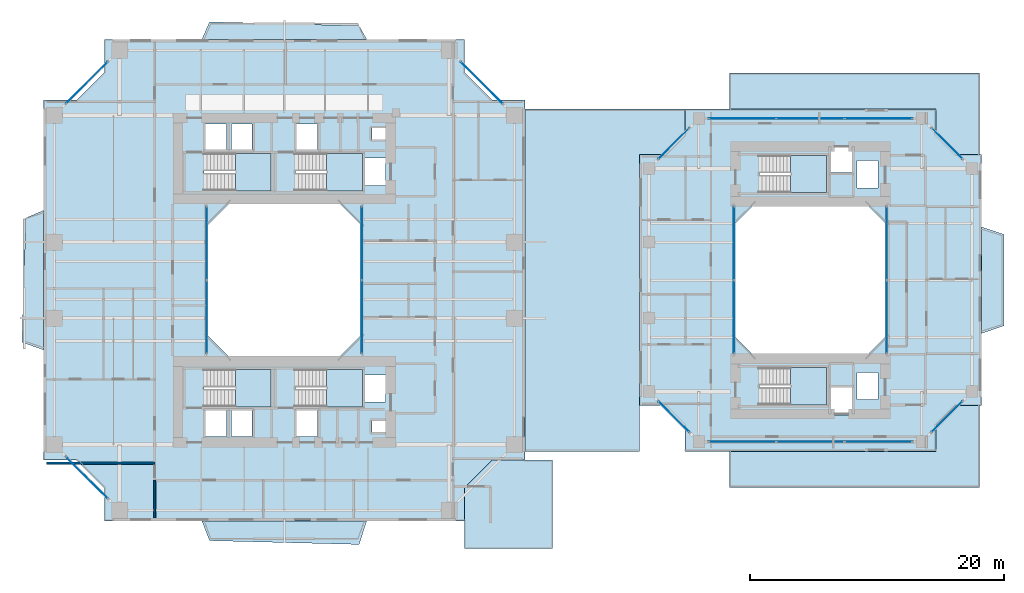
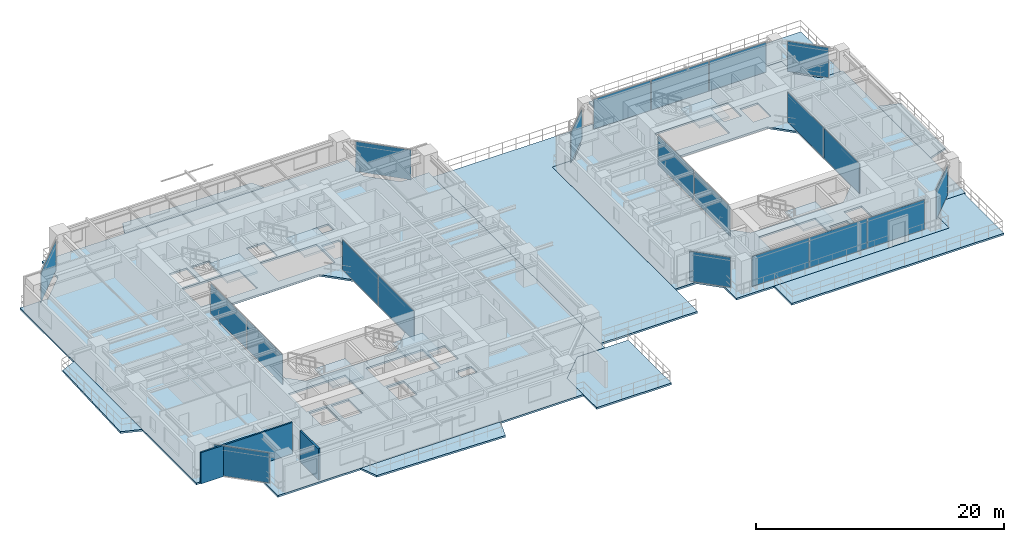
# One storey, part 9 of 22: 21 plates, 16 slabs, 2 walls, 19 elements without a shape of their own.
"""IFC4 building model written with IfcOpenShell, lengths in metres."""

from ifc_helpers import new_model, si_unit, direction, frame, frame_2d, origin, origin_2d, place, context, subcontext, project, spatial, polyline, rectangle, outline, extrude, source, transform, mapped, material, layer, layer_set, type_object, element, aggregate, save


model = new_model("IFC4")

# Units and contexts
model_context = context("Model", 3, precision=1e-05, world=origin(), true_north=direction((0.0, 1.0)))
body_context = subcontext(model_context, "Body", "Model", "MODEL_VIEW")
ifc_project = project(units=[si_unit("LENGTHUNIT", "METRE"), si_unit("AREAUNIT", "SQUARE_METRE"), si_unit("VOLUMEUNIT", "CUBIC_METRE"), si_unit("PLANEANGLEUNIT", "RADIAN"), si_unit("MASSUNIT", "GRAM", prefix="KILO"), si_unit("THERMODYNAMICTEMPERATUREUNIT", "KELVIN"), si_unit("POWERUNIT", "WATT")], contexts=[model_context])

# Site, building, storey
site_placement = place(None, origin())
site = spatial("IfcSite", under=ifc_project, at=site_placement, CompositionType="ELEMENT")
building_placement = place(site_placement, origin())
building = spatial("IfcBuilding", under=site, at=building_placement, Name="Qiaomeng Ring Towers", CompositionType="ELEMENT")
storey_placement = place(building_placement, frame((0.0, 0.0, 23.0)))
storey = spatial("IfcBuildingStorey", under=building, at=storey_placement, Name="L05", CompositionType="ELEMENT", Elevation=23.0)

# Slabs
ifc_material_1 = material(Name="Concrete C40", Category="concrete")
ifc_layer_1 = layer(ifc_material_1, 0.179931640625, Name="Concrete C40")
ifc_layer_set_1 = layer_set([ifc_layer_1], Name="Concrete C40")
slab_type_1 = type_object("IfcSlabType", Name="STR-SL-180", PredefinedType="FLOOR", material=ifc_layer_set_1)
slab_1_placement = place(storey_placement, frame((0.0, 0.0, -0.179931640625)))
element("IfcSlab", 1, at=slab_1_placement, inside=storey, type_object=slab_type_1, Name="L05 Tower 1 Annular Floor Slab", PredefinedType="FLOOR", context=body_context, shape_type="SweptSolid", body=[
    extrude(outline(polyline([(4.800048828125, 4.0), (33.199951171875, 4.0), (33.199951171875, 6.60009765625), (35.39990234375, 8.800048828125), (38.0, 8.800048828125), (38.0, 37.199951171875), (35.39990234375, 37.199951171875), (33.199951171875, 39.39990234375), (33.199951171875, 42.0), (4.800048828125, 42.0), (4.800048828125, 39.39990234375), (2.60009765625, 37.199951171875), (0.0, 37.199951171875), (0.0, 8.800048828125), (2.60009765625, 8.800048828125), (4.800048828125, 6.60009765625), (4.800048828125, 4.0)]), holes=[polyline([(12.780029296875, 10.679931640625), (12.780029296875, 12.820068359375), (14.419921875, 12.820068359375), (14.419921875, 10.679931640625), (12.780029296875, 10.679931640625)]), polyline([(14.830078125, 12.820068359375), (16.469970703125, 12.820068359375), (16.469970703125, 10.679931640625), (14.830078125, 10.679931640625), (14.830078125, 12.820068359375)]), polyline([(12.679931640625, 15.949951171875), (17.949951171875, 15.949951171875), (17.949951171875, 13.010009765625), (12.679931640625, 13.010009765625), (12.679931640625, 15.949951171875)]), polyline([(25.199951171875, 27.199951171875), (25.199951171875, 18.800048828125), (23.199951171875, 16.800048828125), (14.800048828125, 16.800048828125), (12.800048828125, 18.800048828125), (12.800048828125, 27.199951171875), (14.800048828125, 29.199951171875), (23.199951171875, 29.199951171875), (25.199951171875, 27.199951171875)]), polyline([(12.679931640625, 32.989990234375), (17.949951171875, 32.989990234375), (17.949951171875, 30.050048828125), (12.679931640625, 30.050048828125), (12.679931640625, 32.989990234375)]), polyline([(12.780029296875, 35.320068359375), (14.419921875, 35.320068359375), (14.419921875, 33.179931640625), (12.780029296875, 33.179931640625), (12.780029296875, 35.320068359375)]), polyline([(14.830078125, 35.320068359375), (16.469970703125, 35.320068359375), (16.469970703125, 33.179931640625), (14.830078125, 33.179931640625), (14.830078125, 35.320068359375)]), polyline([(19.97998046875, 35.320068359375), (21.6201171875, 35.320068359375), (21.6201171875, 33.179931640625), (19.97998046875, 33.179931640625), (19.97998046875, 35.320068359375)]), polyline([(25.919921875, 11.89990234375), (27.360107421875, 11.89990234375), (27.360107421875, 11.0), (25.919921875, 11.0), (25.919921875, 11.89990234375)]), polyline([(19.97998046875, 12.820068359375), (21.6201171875, 12.820068359375), (21.6201171875, 10.679931640625), (19.97998046875, 10.679931640625), (19.97998046875, 12.820068359375)]), polyline([(25.360107421875, 15.52001953125), (27.0, 15.52001953125), (27.0, 13.3798828125), (25.360107421875, 13.3798828125), (25.360107421875, 15.52001953125)]), polyline([(19.8798828125, 15.949951171875), (25.14990234375, 15.949951171875), (25.14990234375, 13.010009765625), (19.8798828125, 13.010009765625), (19.8798828125, 15.949951171875)]), polyline([(19.8798828125, 32.989990234375), (25.14990234375, 32.989990234375), (25.14990234375, 30.050048828125), (19.8798828125, 30.050048828125), (19.8798828125, 32.989990234375)]), polyline([(25.360107421875, 32.6201171875), (27.0, 32.6201171875), (27.0, 30.47998046875), (25.360107421875, 30.47998046875), (25.360107421875, 32.6201171875)]), polyline([(25.919921875, 35.0), (27.360107421875, 35.0), (27.360107421875, 34.10009765625), (25.919921875, 34.10009765625), (25.919921875, 35.0)])]), origin(), (0.0, 0.0, 1.0), 0.179931640625),
])
slab_2_placement = place(storey_placement, frame((0.0, 0.0, -0.179931640625)))
element("IfcSlab", 2, at=slab_2_placement, inside=storey, type_object=slab_type_1, Name="L05 Companion Tower 2 Annular Floor Slab", PredefinedType="FLOOR", context=body_context, shape_type="SweptSolid", body=[
    extrude(outline(polyline([(50.60009765625, 9.5), (70.39990234375, 9.5), (70.39990234375, 11.5), (72.0, 13.10009765625), (74.0, 13.10009765625), (74.0, 32.89990234375), (72.0, 32.89990234375), (70.39990234375, 34.5), (70.39990234375, 36.5), (50.60009765625, 36.5), (50.60009765625, 34.5), (49.0, 32.89990234375), (47.0, 32.89990234375), (47.0, 13.10009765625), (49.0, 13.10009765625), (50.60009765625, 11.5), (50.60009765625, 9.5)]), holes=[polyline([(62.1298828125, 12.3798828125), (62.1298828125, 14.52001953125), (63.77001953125, 14.52001953125), (63.77001953125, 12.3798828125), (62.1298828125, 12.3798828125)]), polyline([(56.47998046875, 13.159912109375), (56.47998046875, 16.10009765625), (61.75, 16.10009765625), (61.75, 13.159912109375), (56.47998046875, 13.159912109375)]), polyline([(64.179931640625, 13.580078125), (64.179931640625, 15.719970703125), (65.820068359375, 15.719970703125), (65.820068359375, 13.580078125), (64.179931640625, 13.580078125)]), polyline([(64.800048828125, 29.10009765625), (66.60009765625, 27.300048828125), (66.60009765625, 18.699951171875), (64.800048828125, 16.89990234375), (56.199951171875, 16.89990234375), (54.39990234375, 18.699951171875), (54.39990234375, 27.300048828125), (56.199951171875, 29.10009765625), (64.800048828125, 29.10009765625)]), polyline([(64.179931640625, 30.280029296875), (64.179931640625, 32.419921875), (65.820068359375, 32.419921875), (65.820068359375, 30.280029296875), (64.179931640625, 30.280029296875)]), polyline([(56.47998046875, 32.840087890625), (61.75, 32.840087890625), (61.75, 29.89990234375), (56.47998046875, 29.89990234375), (56.47998046875, 32.840087890625)]), polyline([(62.1298828125, 33.6201171875), (63.77001953125, 33.6201171875), (63.77001953125, 31.47998046875), (62.1298828125, 31.47998046875), (62.1298828125, 33.6201171875)])]), origin(), (0.0, 0.0, 1.0), 0.179931640625),
])
ifc_layer_2 = layer(ifc_material_1, 0.179931640625, Name="Concrete C40")
ifc_layer_set_2 = layer_set([ifc_layer_2], Name="Concrete C40")
slab_type_2 = type_object("IfcSlabType", Name="STR-SL-BAL", PredefinedType="FLOOR", material=ifc_layer_set_2)
slab_3_placement = place(storey_placement, frame((0.0, 0.0, -0.179931640625)))
element("IfcSlab", 3, at=slab_3_placement, inside=storey, type_object=slab_type_2, Name="L05 Tower 1 S Faceted Balcony Slab", PredefinedType="FLOOR", context=body_context, shape_type="SweptSolid", body=[
    extrude(outline(polyline([(24.89990234375, 2.14990234375), (13.10009765625, 2.449951171875), (12.5, 4.0), (25.5, 4.0), (24.89990234375, 2.14990234375)])), origin(), (0.0, 0.0, 1.0), 0.179931640625),
])
slab_4_placement = place(storey_placement, frame((0.0, 0.0, -0.179931640625)))
element("IfcSlab", 4, at=slab_4_placement, inside=storey, type_object=slab_type_2, Name="L05 Tower 1 N Faceted Balcony Slab", PredefinedType="FLOOR", context=body_context, shape_type="SweptSolid", body=[
    extrude(outline(polyline([(12.5, 42.0), (13.10009765625, 43.3701171875), (24.89990234375, 43.070068359375), (25.5, 42.0), (12.5, 42.0)])), origin(), (0.0, 0.0, 1.0), 0.179931640625),
])
slab_5_placement = place(storey_placement, frame((0.0, 0.0, -0.179931640625)))
element("IfcSlab", 5, at=slab_5_placement, inside=storey, type_object=slab_type_2, Name="L05 Tower 1 W Faceted Balcony Slab", PredefinedType="FLOOR", context=body_context, shape_type="SweptSolid", body=[
    extrude(outline(polyline([(0.0, 17.5), (-1.699951171875, 18.10009765625), (-1.39990234375, 27.89990234375), (0.0, 28.5), (0.0, 17.5)])), origin(), (0.0, 0.0, 1.0), 0.179931640625),
])
slab_6_placement = place(storey_placement, frame((0.0, 0.0, -0.179931640625)))
element("IfcSlab", 6, at=slab_6_placement, inside=storey, type_object=slab_type_2, Name="L05 Companion East Faceted Balcony Slab", PredefinedType="FLOOR", context=body_context, shape_type="SweptSolid", body=[
    extrude(outline(polyline([(75.77001953125, 26.60009765625), (75.77001953125, 19.39990234375), (74.0, 18.800048828125), (74.0, 27.199951171875), (75.77001953125, 26.60009765625)])), origin(), (0.0, 0.0, 1.0), 0.179931640625),
])

# Stair, slab
ifc_material_2 = material(Name="Precast concrete C40", Category="concrete")
stair_type = type_object("IfcStairType", Name="ARC-ST-325", PredefinedType="HALF_TURN_STAIR", material=ifc_material_2)
stair_1_placement = place(storey_placement, origin())
stair_1 = element("IfcStair", 7, at=stair_1_placement, inside=storey, type_object=stair_type, Name="L05 Tower 1 North Stair 1", PredefinedType="HALF_TURN_STAIR")
ifc_layer_3 = layer(ifc_material_1, 0.199951171875, Name="Concrete C40")
ifc_layer_set_3 = layer_set([ifc_layer_3], Name="Concrete C40")
slab_type_3 = type_object("IfcSlabType", Name="STR-SL-LANDING", PredefinedType="LANDING", material=ifc_layer_set_3)
slab_7_placement = place(storey_placement, frame((0.0, 0.0, 1.425048828125)))
slab_7 = element("IfcSlab", 8, at=slab_7_placement, type_object=slab_type_3, Name="ST1 landing 1", PredefinedType="LANDING", context=body_context, shape_type="SweptSolid", body=[
    extrude(outline(polyline([(15.139892578125, 30.050048828125), (17.949951171875, 30.050048828125), (17.949951171875, 32.989990234375), (15.139892578125, 32.989990234375), (15.139892578125, 30.050048828125)])), origin(), (0.0, 0.0, 1.0), 0.199951171875),
])
aggregate(stair_1, [slab_7])

stair_2_placement = place(storey_placement, origin())
stair_2 = element("IfcStair", 9, at=stair_2_placement, inside=storey, type_object=stair_type, Name="L05 Tower 1 North Stair 2", PredefinedType="HALF_TURN_STAIR")
slab_8_placement = place(storey_placement, frame((0.0, 0.0, 1.425048828125)))
slab_8 = element("IfcSlab", 10, at=slab_8_placement, type_object=slab_type_3, Name="ST2 landing 1", PredefinedType="LANDING", context=body_context, shape_type="SweptSolid", body=[
    extrude(outline(polyline([(22.340087890625, 30.050048828125), (25.14990234375, 30.050048828125), (25.14990234375, 32.989990234375), (22.340087890625, 32.989990234375), (22.340087890625, 30.050048828125)])), origin(), (0.0, 0.0, 1.0), 0.199951171875),
])
aggregate(stair_2, [slab_8])

stair_3_placement = place(storey_placement, origin())
stair_3 = element("IfcStair", 11, at=stair_3_placement, inside=storey, type_object=stair_type, Name="L05 Tower 1 South Stair 3", PredefinedType="HALF_TURN_STAIR")
slab_9_placement = place(storey_placement, frame((0.0, 0.0, 1.425048828125)))
slab_9 = element("IfcSlab", 12, at=slab_9_placement, type_object=slab_type_3, Name="ST3 landing 1", PredefinedType="LANDING", context=body_context, shape_type="SweptSolid", body=[
    extrude(outline(polyline([(15.139892578125, 13.010009765625), (17.949951171875, 13.010009765625), (17.949951171875, 15.949951171875), (15.139892578125, 15.949951171875), (15.139892578125, 13.010009765625)])), origin(), (0.0, 0.0, 1.0), 0.199951171875),
])
aggregate(stair_3, [slab_9])

stair_4_placement = place(storey_placement, origin())
stair_4 = element("IfcStair", 13, at=stair_4_placement, inside=storey, type_object=stair_type, Name="L05 Tower 1 South Stair 4", PredefinedType="HALF_TURN_STAIR")
slab_10_placement = place(storey_placement, frame((0.0, 0.0, 1.425048828125)))
slab_10 = element("IfcSlab", 14, at=slab_10_placement, type_object=slab_type_3, Name="ST4 landing 1", PredefinedType="LANDING", context=body_context, shape_type="SweptSolid", body=[
    extrude(outline(polyline([(22.340087890625, 13.010009765625), (25.14990234375, 13.010009765625), (25.14990234375, 15.949951171875), (22.340087890625, 15.949951171875), (22.340087890625, 13.010009765625)])), origin(), (0.0, 0.0, 1.0), 0.199951171875),
])
aggregate(stair_4, [slab_10])

stair_5_placement = place(storey_placement, origin())
stair_5 = element("IfcStair", 15, at=stair_5_placement, inside=storey, type_object=stair_type, Name="L05 Companion North Stair 5", PredefinedType="HALF_TURN_STAIR")
slab_11_placement = place(storey_placement, frame((0.0, 0.0, 1.425048828125)))
slab_11 = element("IfcSlab", 16, at=slab_11_placement, type_object=slab_type_3, Name="ST5 landing 1", PredefinedType="LANDING", context=body_context, shape_type="SweptSolid", body=[
    extrude(outline(polyline([(58.93994140625, 29.89990234375), (61.75, 29.89990234375), (61.75, 32.840087890625), (58.93994140625, 32.840087890625), (58.93994140625, 29.89990234375)])), origin(), (0.0, 0.0, 1.0), 0.199951171875),
])
aggregate(stair_5, [slab_11])

stair_6_placement = place(storey_placement, origin())
stair_6 = element("IfcStair", 17, at=stair_6_placement, inside=storey, type_object=stair_type, Name="L05 Companion South Stair 6", PredefinedType="HALF_TURN_STAIR")
slab_12_placement = place(storey_placement, frame((0.0, 0.0, 1.425048828125)))
slab_12 = element("IfcSlab", 18, at=slab_12_placement, type_object=slab_type_3, Name="ST6 landing 1", PredefinedType="LANDING", context=body_context, shape_type="SweptSolid", body=[
    extrude(outline(polyline([(58.93994140625, 13.159912109375), (61.75, 13.159912109375), (61.75, 16.10009765625), (58.93994140625, 16.10009765625), (58.93994140625, 13.159912109375)])), origin(), (0.0, 0.0, 1.0), 0.199951171875),
])
aggregate(stair_6, [slab_12])

# Slabs
ifc_layer_4 = layer(ifc_material_1, 0.179931640625, Name="Concrete C40")
ifc_layer_set_4 = layer_set([ifc_layer_4], Name="Concrete C40")
slab_type_4 = type_object("IfcSlabType", Name="STR-SL-TERR180", PredefinedType="FLOOR", material=ifc_layer_set_4)
slab_13_placement = place(storey_placement, frame((0.0, 0.0, -0.179931640625)))
element("IfcSlab", 19, at=slab_13_placement, inside=storey, type_object=slab_type_4, Name="L05 Shared Podium Sky Garden Terrace Slab", PredefinedType="FLOOR", context=body_context, shape_type="SweptSolid", body=[
    extrude(outline(polyline([(38.0, 9.5), (47.0, 9.5), (47.0, 32.89990234375), (49.0, 32.89990234375), (50.60009765625, 34.5), (50.60009765625, 36.5), (38.0, 36.5), (38.0, 9.5)])), origin(), (0.0, 0.0, 1.0), 0.179931640625),
])
slab_14_placement = place(storey_placement, frame((0.0, 0.0, -0.179931640625)))
element("IfcSlab", 20, at=slab_14_placement, inside=storey, type_object=slab_type_4, Name="L05 Spiralling Corner Sky Terrace SE", PredefinedType="FLOOR", context=body_context, shape_type="SweptSolid", body=[
    extrude(outline(polyline([(40.14990234375, 8.800048828125), (40.14990234375, 1.85009765625), (33.199951171875, 1.85009765625), (33.199951171875, 4.0), (33.199951171875, 6.60009765625), (35.39990234375, 8.800048828125), (38.0, 8.800048828125), (40.14990234375, 8.800048828125)])), origin(), (0.0, 0.0, 1.0), 0.179931640625),
])
slab_15_placement = place(storey_placement, frame((0.0, 0.0, -0.179931640625)))
element("IfcSlab", 21, at=slab_15_placement, inside=storey, type_object=slab_type_4, Name="L05 Companion Podium South Roof Terrace Slab", PredefinedType="FLOOR", context=body_context, shape_type="SweptSolid", body=[
    extrude(outline(polyline([(73.840087890625, 6.659912109375), (73.840087890625, 13.10009765625), (72.0, 13.10009765625), (70.39990234375, 11.5), (70.39990234375, 9.5), (54.110107421875, 9.5), (54.110107421875, 6.659912109375), (73.840087890625, 6.659912109375)])), origin(), (0.0, 0.0, 1.0), 0.179931640625),
])
slab_16_placement = place(storey_placement, frame((0.0, 0.0, -0.179931640625)))
element("IfcSlab", 22, at=slab_16_placement, inside=storey, type_object=slab_type_4, Name="L05 Companion Podium North Roof Terrace Slab", PredefinedType="FLOOR", context=body_context, shape_type="SweptSolid", body=[
    extrude(outline(polyline([(54.110107421875, 39.340087890625), (54.110107421875, 36.5), (70.39990234375, 36.5), (70.39990234375, 34.5), (72.0, 32.89990234375), (73.840087890625, 32.89990234375), (73.840087890625, 39.340087890625), (54.110107421875, 39.340087890625)])), origin(), (0.0, 0.0, 1.0), 0.179931640625),
])

# Curtain wall, plates
ifc_material_3 = material(Name="Fluorocarbon dark-grey aluminium", Category="aluminium")
ifc_layer_5 = layer(ifc_material_3, 0.139892578125, Name="Fluorocarbon dark-grey aluminium")
ifc_layer_set_5 = layer_set([ifc_layer_5], Name="Fluorocarbon dark-grey aluminium")
curtain_wall_type_1 = type_object("IfcCurtainWallType", Name="ARC-CW-4", PredefinedType="NOTDEFINED", material=ifc_layer_set_5)
curtain_wall_1_placement = place(storey_placement, origin())
curtain_wall_1 = element("IfcCurtainWall", 23, at=curtain_wall_1_placement, inside=storey, type_object=curtain_wall_type_1, Name="L05 Curtain Wall CW4", PredefinedType="NOTDEFINED")
ifc_material_4 = material(Name="Low-E dark-grey laminated double glazing", Category="glass")
ifc_layer_6 = layer(ifc_material_4, 0.028076171875, Name="Low-E dark-grey laminated double glazing")
ifc_layer_set_6 = layer_set([ifc_layer_6], Name="Low-E dark-grey laminated double glazing")
plate_type = type_object("IfcPlateType", Name="ARC-CWP-DARK", PredefinedType="CURTAIN_PANEL", material=ifc_layer_set_6)
shared_shape_1 = source(origin(), body_context, "Body", "SweptSolid", [
    extrude(rectangle(XDim=5.75244140625, YDim=0.028076171875, at=origin_2d()), origin(), (0.0, 0.0, 1.0), 2.93994140625),
])
plate_1_placement = place(storey_placement, frame((12.8798828125, 20.09130859375, 0.06494140625), z_axis=(0.0, 0.0, 1.0), x_axis=(0.0, 1.0, 0.0)))
plate_1 = element("IfcPlate", 24, at=plate_1_placement, type_object=plate_type, Name="CW4 panel 1.1", PredefinedType="CURTAIN_PANEL", context=body_context, shape_type="MappedRepresentation", body=[
    mapped(shared_shape_1, transform((0.0, 0.0, 0.0), x_axis=(1.0, 0.0, 0.0), y_axis=(0.0, 1.0, 0.0), z_axis=(0.0, 0.0, 1.0), scale=1.0)),
])
plate_2_placement = place(storey_placement, frame((12.8798828125, 25.90869140625, 0.06494140625), z_axis=(0.0, 0.0, 1.0), x_axis=(0.0, 1.0, 0.0)))
plate_2 = element("IfcPlate", 25, at=plate_2_placement, type_object=plate_type, Name="CW4 panel 2.1", PredefinedType="CURTAIN_PANEL", context=body_context, shape_type="MappedRepresentation", body=[
    mapped(shared_shape_1, transform((0.0, 0.0, 0.0), x_axis=(1.0, 0.0, 0.0), y_axis=(0.0, 1.0, 0.0), z_axis=(0.0, 0.0, 1.0), scale=1.0)),
])
aggregate(curtain_wall_1, [plate_1, plate_2])

curtain_wall_2_placement = place(storey_placement, origin())
curtain_wall_2 = element("IfcCurtainWall", 26, at=curtain_wall_2_placement, inside=storey, type_object=curtain_wall_type_1, Name="L05 Curtain Wall CW4", PredefinedType="NOTDEFINED")
plate_3_placement = place(storey_placement, frame((25.1201171875, 20.09130859375, 0.06494140625), z_axis=(0.0, 0.0, 1.0), x_axis=(0.0, 1.0, 0.0)))
plate_3 = element("IfcPlate", 27, at=plate_3_placement, type_object=plate_type, Name="CW4 panel 1.1", PredefinedType="CURTAIN_PANEL", context=body_context, shape_type="MappedRepresentation", body=[
    mapped(shared_shape_1, transform((0.0, 0.0, 0.0), x_axis=(1.0, 0.0, 0.0), y_axis=(0.0, 1.0, 0.0), z_axis=(0.0, 0.0, 1.0), scale=1.0)),
])
plate_4_placement = place(storey_placement, frame((25.1201171875, 25.90869140625, 0.06494140625), z_axis=(0.0, 0.0, 1.0), x_axis=(0.0, 1.0, 0.0)))
plate_4 = element("IfcPlate", 28, at=plate_4_placement, type_object=plate_type, Name="CW4 panel 2.1", PredefinedType="CURTAIN_PANEL", context=body_context, shape_type="MappedRepresentation", body=[
    mapped(shared_shape_1, transform((0.0, 0.0, 0.0), x_axis=(1.0, 0.0, 0.0), y_axis=(0.0, 1.0, 0.0), z_axis=(0.0, 0.0, 1.0), scale=1.0)),
])
aggregate(curtain_wall_2, [plate_3, plate_4])

curtain_wall_3_placement = place(storey_placement, origin())
curtain_wall_3 = element("IfcCurtainWall", 29, at=curtain_wall_3_placement, inside=storey, type_object=curtain_wall_type_1, Name="L05 Curtain Wall CW4", PredefinedType="NOTDEFINED")
plate_5_placement = place(storey_placement, frame((54.47998046875, 20.09130859375, 0.06494140625), z_axis=(0.0, 0.0, 1.0), x_axis=(0.0, 1.0, 0.0)))
plate_5 = element("IfcPlate", 30, at=plate_5_placement, type_object=plate_type, Name="CW4 panel 1.1", PredefinedType="CURTAIN_PANEL", context=body_context, shape_type="MappedRepresentation", body=[
    mapped(shared_shape_1, transform((0.0, 0.0, 0.0), x_axis=(1.0, 0.0, 0.0), y_axis=(0.0, 1.0, 0.0), z_axis=(0.0, 0.0, 1.0), scale=1.0)),
])
plate_6_placement = place(storey_placement, frame((54.47998046875, 25.90869140625, 0.06494140625), z_axis=(0.0, 0.0, 1.0), x_axis=(0.0, 1.0, 0.0)))
plate_6 = element("IfcPlate", 31, at=plate_6_placement, type_object=plate_type, Name="CW4 panel 2.1", PredefinedType="CURTAIN_PANEL", context=body_context, shape_type="MappedRepresentation", body=[
    mapped(shared_shape_1, transform((0.0, 0.0, 0.0), x_axis=(1.0, 0.0, 0.0), y_axis=(0.0, 1.0, 0.0), z_axis=(0.0, 0.0, 1.0), scale=1.0)),
])
aggregate(curtain_wall_3, [plate_5, plate_6])

curtain_wall_4_placement = place(storey_placement, origin())
curtain_wall_4 = element("IfcCurtainWall", 32, at=curtain_wall_4_placement, inside=storey, type_object=curtain_wall_type_1, Name="L05 Curtain Wall CW4", PredefinedType="NOTDEFINED")
plate_7_placement = place(storey_placement, frame((66.52001953125, 20.09130859375, 0.06494140625), z_axis=(0.0, 0.0, 1.0), x_axis=(0.0, 1.0, 0.0)))
plate_7 = element("IfcPlate", 33, at=plate_7_placement, type_object=plate_type, Name="CW4 panel 1.1", PredefinedType="CURTAIN_PANEL", context=body_context, shape_type="MappedRepresentation", body=[
    mapped(shared_shape_1, transform((0.0, 0.0, 0.0), x_axis=(1.0, 0.0, 0.0), y_axis=(0.0, 1.0, 0.0), z_axis=(0.0, 0.0, 1.0), scale=1.0)),
])
plate_8_placement = place(storey_placement, frame((66.52001953125, 25.90869140625, 0.06494140625), z_axis=(0.0, 0.0, 1.0), x_axis=(0.0, 1.0, 0.0)))
plate_8 = element("IfcPlate", 34, at=plate_8_placement, type_object=plate_type, Name="CW4 panel 2.1", PredefinedType="CURTAIN_PANEL", context=body_context, shape_type="MappedRepresentation", body=[
    mapped(shared_shape_1, transform((0.0, 0.0, 0.0), x_axis=(1.0, 0.0, 0.0), y_axis=(0.0, 1.0, 0.0), z_axis=(0.0, 0.0, 1.0), scale=1.0)),
])
aggregate(curtain_wall_4, [plate_7, plate_8])

# Curtain wall, plate
ifc_layer_7 = layer(ifc_material_3, 0.159912109375, Name="Fluorocarbon dark-grey aluminium")
ifc_layer_set_7 = layer_set([ifc_layer_7], Name="Fluorocarbon dark-grey aluminium")
curtain_wall_type_2 = type_object("IfcCurtainWallType", Name="ARC-CW-2", PredefinedType="NOTDEFINED", material=ifc_layer_set_7)
curtain_wall_5_placement = place(storey_placement, origin())
curtain_wall_5 = element("IfcCurtainWall", 35, at=curtain_wall_5_placement, inside=storey, type_object=curtain_wall_type_2, Name="L05 Curtain Wall CW2", PredefinedType="NOTDEFINED")
shared_shape_2 = source(origin(), body_context, "Body", "SweptSolid", [
    extrude(rectangle(XDim=4.6259765625, YDim=0.028076171875, at=origin_2d()), origin(), (0.0, 0.0, 1.0), 2.93994140625),
])
plate_9_placement = place(storey_placement, frame((34.574951171875, 38.574951171875, 0.06494140625), z_axis=(0.0, 0.0, 1.0), x_axis=(-0.707106781187, 0.707106781187, 0.0)))
plate_9 = element("IfcPlate", 36, at=plate_9_placement, type_object=plate_type, Name="CW2 panel 1.1", PredefinedType="CURTAIN_PANEL", context=body_context, shape_type="MappedRepresentation", body=[
    mapped(shared_shape_2, transform((0.0, 0.0, 0.0), x_axis=(1.0, 0.0, 0.0), y_axis=(0.0, 1.0, 0.0), z_axis=(0.0, 0.0, 1.0), scale=1.0)),
])
aggregate(curtain_wall_5, [plate_9])

curtain_wall_6_placement = place(storey_placement, origin())
curtain_wall_6 = element("IfcCurtainWall", 37, at=curtain_wall_6_placement, inside=storey, type_object=curtain_wall_type_2, Name="L05 Curtain Wall CW2", PredefinedType="NOTDEFINED")
plate_10_placement = place(storey_placement, frame((3.425048828125, 38.574951171875, 0.06494140625), z_axis=(0.0, 0.0, 1.0), x_axis=(-0.707106781187, -0.707106781187, 0.0)))
plate_10 = element("IfcPlate", 38, at=plate_10_placement, type_object=plate_type, Name="CW2 panel 1.1", PredefinedType="CURTAIN_PANEL", context=body_context, shape_type="MappedRepresentation", body=[
    mapped(shared_shape_2, transform((0.0, 0.0, 0.0), x_axis=(1.0, 0.0, 0.0), y_axis=(0.0, 1.0, 0.0), z_axis=(0.0, 0.0, 1.0), scale=1.0)),
])
aggregate(curtain_wall_6, [plate_10])

curtain_wall_7_placement = place(storey_placement, origin())
curtain_wall_7 = element("IfcCurtainWall", 39, at=curtain_wall_7_placement, inside=storey, type_object=curtain_wall_type_2, Name="L05 Curtain Wall CW2", PredefinedType="NOTDEFINED")
plate_11_placement = place(storey_placement, frame((3.425048828125, 7.425048828125, 0.06494140625), z_axis=(0.0, 0.0, 1.0), x_axis=(0.707106781187, -0.707106781187, 0.0)))
plate_11 = element("IfcPlate", 40, at=plate_11_placement, type_object=plate_type, Name="CW2 panel 1.1", PredefinedType="CURTAIN_PANEL", context=body_context, shape_type="MappedRepresentation", body=[
    mapped(shared_shape_2, transform((0.0, 0.0, 0.0), x_axis=(1.0, 0.0, 0.0), y_axis=(0.0, 1.0, 0.0), z_axis=(0.0, 0.0, 1.0), scale=1.0)),
])
aggregate(curtain_wall_7, [plate_11])

# Curtain wall, plates
ifc_layer_8 = layer(ifc_material_3, 0.14990234375, Name="Fluorocarbon dark-grey aluminium")
ifc_layer_set_8 = layer_set([ifc_layer_8], Name="Fluorocarbon dark-grey aluminium")
curtain_wall_type_3 = type_object("IfcCurtainWallType", Name="ARC-CW-5", PredefinedType="NOTDEFINED", material=ifc_layer_set_8)
curtain_wall_8_placement = place(storey_placement, origin())
curtain_wall_8 = element("IfcCurtainWall", 41, at=curtain_wall_8_placement, inside=storey, type_object=curtain_wall_type_3, Name="L05 Curtain Wall CW5", PredefinedType="NOTDEFINED")
shared_shape_3 = source(origin(), body_context, "Body", "SweptSolid", [
    extrude(rectangle(XDim=5.284912109375, YDim=0.028076171875, at=origin_2d()), origin(), (0.0, 0.0, 1.0), 2.93994140625),
])
plate_12_placement = place(storey_placement, frame((55.12744140625, 35.75, 0.06494140625), z_axis=(0.0, 0.0, 1.0), x_axis=(1.0, 0.0, 0.0)))
plate_12 = element("IfcPlate", 42, at=plate_12_placement, type_object=plate_type, Name="CW5 panel 1.1", PredefinedType="CURTAIN_PANEL", context=body_context, shape_type="MappedRepresentation", body=[
    mapped(shared_shape_3, transform((0.0, 0.0, 0.0), x_axis=(1.0, 0.0, 0.0), y_axis=(0.0, 1.0, 0.0), z_axis=(0.0, 0.0, 1.0), scale=1.0)),
])
plate_13_placement = place(storey_placement, frame((65.87255859375, 35.75, 0.06494140625), z_axis=(0.0, 0.0, 1.0), x_axis=(1.0, 0.0, 0.0)))
plate_13 = element("IfcPlate", 43, at=plate_13_placement, type_object=plate_type, Name="CW5 panel 3.1", PredefinedType="CURTAIN_PANEL", context=body_context, shape_type="MappedRepresentation", body=[
    mapped(shared_shape_3, transform((0.0, 0.0, 0.0), x_axis=(1.0, 0.0, 0.0), y_axis=(0.0, 1.0, 0.0), z_axis=(0.0, 0.0, 1.0), scale=1.0)),
])

curtain_wall_9_placement = place(storey_placement, origin())
curtain_wall_9 = element("IfcCurtainWall", 44, at=curtain_wall_9_placement, inside=storey, type_object=curtain_wall_type_3, Name="L05 Curtain Wall CW5", PredefinedType="NOTDEFINED")
plate_14_placement = place(storey_placement, frame((55.12744140625, 10.25, 0.06494140625), z_axis=(0.0, 0.0, 1.0), x_axis=(1.0, 0.0, 0.0)))
plate_14 = element("IfcPlate", 45, at=plate_14_placement, type_object=plate_type, Name="CW5 panel 1.1", PredefinedType="CURTAIN_PANEL", context=body_context, shape_type="MappedRepresentation", body=[
    mapped(shared_shape_3, transform((0.0, 0.0, 0.0), x_axis=(1.0, 0.0, 0.0), y_axis=(0.0, 1.0, 0.0), z_axis=(0.0, 0.0, 1.0), scale=1.0)),
])
plate_15_placement = place(storey_placement, frame((65.87255859375, 10.25, 0.06494140625), z_axis=(0.0, 0.0, 1.0), x_axis=(1.0, 0.0, 0.0)))
plate_15 = element("IfcPlate", 46, at=plate_15_placement, type_object=plate_type, Name="CW5 panel 3.1", PredefinedType="CURTAIN_PANEL", context=body_context, shape_type="MappedRepresentation", body=[
    mapped(shared_shape_3, transform((0.0, 0.0, 0.0), x_axis=(1.0, 0.0, 0.0), y_axis=(0.0, 1.0, 0.0), z_axis=(0.0, 0.0, 1.0), scale=1.0)),
])

# Plate
shared_shape_4 = source(origin(), body_context, "Body", "SweptSolid", [
    extrude(rectangle(XDim=5.320068359375, YDim=0.028076171875, at=origin_2d()), origin(), (0.0, 0.0, 1.0), 2.93994140625),
])
plate_16_placement = place(storey_placement, frame((60.5, 35.75, 0.06494140625), z_axis=(0.0, 0.0, 1.0), x_axis=(1.0, 0.0, 0.0)))
plate_16 = element("IfcPlate", 47, at=plate_16_placement, type_object=plate_type, Name="CW5 panel 2.1", PredefinedType="CURTAIN_PANEL", context=body_context, shape_type="MappedRepresentation", body=[
    mapped(shared_shape_4, transform((0.0, 0.0, 0.0), x_axis=(1.0, 0.0, 0.0), y_axis=(0.0, 1.0, 0.0), z_axis=(0.0, 0.0, 1.0), scale=1.0)),
])

aggregate(curtain_wall_8, [plate_12, plate_16, plate_13])

plate_17_placement = place(storey_placement, frame((60.5, 10.25, 0.06494140625), z_axis=(0.0, 0.0, 1.0), x_axis=(1.0, 0.0, 0.0)))
plate_17 = element("IfcPlate", 48, at=plate_17_placement, type_object=plate_type, Name="CW5 panel 2.1", PredefinedType="CURTAIN_PANEL", context=body_context, shape_type="MappedRepresentation", body=[
    mapped(shared_shape_4, transform((0.0, 0.0, 0.0), x_axis=(1.0, 0.0, 0.0), y_axis=(0.0, 1.0, 0.0), z_axis=(0.0, 0.0, 1.0), scale=1.0)),
])

aggregate(curtain_wall_9, [plate_14, plate_17, plate_15])

# Curtain wall, plate
curtain_wall_10_placement = place(storey_placement, origin())
curtain_wall_10 = element("IfcCurtainWall", 49, at=curtain_wall_10_placement, inside=storey, type_object=curtain_wall_type_3, Name="L05 Curtain Wall CW5", PredefinedType="NOTDEFINED")
shared_shape_5 = source(origin(), body_context, "Body", "SweptSolid", [
    extrude(rectangle(XDim=3.423828125, YDim=0.028076171875, at=origin_2d()), origin(), (0.0, 0.0, 1.0), 2.93994140625),
])
plate_18_placement = place(storey_placement, frame((71.27490234375, 12.22509765625, 0.06494140625), z_axis=(0.0, 0.0, 1.0), x_axis=(0.707106781187, 0.707106781187, 0.0)))
plate_18 = element("IfcPlate", 50, at=plate_18_placement, type_object=plate_type, Name="CW5 panel 1.1", PredefinedType="CURTAIN_PANEL", context=body_context, shape_type="MappedRepresentation", body=[
    mapped(shared_shape_5, transform((0.0, 0.0, 0.0), x_axis=(1.0, 0.0, 0.0), y_axis=(0.0, 1.0, 0.0), z_axis=(0.0, 0.0, 1.0), scale=1.0)),
])
aggregate(curtain_wall_10, [plate_18])

curtain_wall_11_placement = place(storey_placement, origin())
curtain_wall_11 = element("IfcCurtainWall", 51, at=curtain_wall_11_placement, inside=storey, type_object=curtain_wall_type_3, Name="L05 Curtain Wall CW5", PredefinedType="NOTDEFINED")
plate_19_placement = place(storey_placement, frame((71.27490234375, 33.77490234375, 0.06494140625), z_axis=(0.0, 0.0, 1.0), x_axis=(-0.707106781187, 0.707106781187, 0.0)))
plate_19 = element("IfcPlate", 52, at=plate_19_placement, type_object=plate_type, Name="CW5 panel 1.1", PredefinedType="CURTAIN_PANEL", context=body_context, shape_type="MappedRepresentation", body=[
    mapped(shared_shape_5, transform((0.0, 0.0, 0.0), x_axis=(1.0, 0.0, 0.0), y_axis=(0.0, 1.0, 0.0), z_axis=(0.0, 0.0, 1.0), scale=1.0)),
])
aggregate(curtain_wall_11, [plate_19])

curtain_wall_12_placement = place(storey_placement, origin())
curtain_wall_12 = element("IfcCurtainWall", 53, at=curtain_wall_12_placement, inside=storey, type_object=curtain_wall_type_3, Name="L05 Curtain Wall CW5", PredefinedType="NOTDEFINED")
plate_20_placement = place(storey_placement, frame((49.72509765625, 33.77490234375, 0.06494140625), z_axis=(0.0, 0.0, 1.0), x_axis=(-0.707106781187, -0.707106781187, 0.0)))
plate_20 = element("IfcPlate", 54, at=plate_20_placement, type_object=plate_type, Name="CW5 panel 1.1", PredefinedType="CURTAIN_PANEL", context=body_context, shape_type="MappedRepresentation", body=[
    mapped(shared_shape_5, transform((0.0, 0.0, 0.0), x_axis=(1.0, 0.0, 0.0), y_axis=(0.0, 1.0, 0.0), z_axis=(0.0, 0.0, 1.0), scale=1.0)),
])
aggregate(curtain_wall_12, [plate_20])

curtain_wall_13_placement = place(storey_placement, origin())
curtain_wall_13 = element("IfcCurtainWall", 55, at=curtain_wall_13_placement, inside=storey, type_object=curtain_wall_type_3, Name="L05 Curtain Wall CW5", PredefinedType="NOTDEFINED")
plate_21_placement = place(storey_placement, frame((49.72509765625, 12.22509765625, 0.06494140625), z_axis=(0.0, 0.0, 1.0), x_axis=(0.707106781187, -0.707106781187, 0.0)))
plate_21 = element("IfcPlate", 56, at=plate_21_placement, type_object=plate_type, Name="CW5 panel 1.1", PredefinedType="CURTAIN_PANEL", context=body_context, shape_type="MappedRepresentation", body=[
    mapped(shared_shape_5, transform((0.0, 0.0, 0.0), x_axis=(1.0, 0.0, 0.0), y_axis=(0.0, 1.0, 0.0), z_axis=(0.0, 0.0, 1.0), scale=1.0)),
])
aggregate(curtain_wall_13, [plate_21])

# Walls
ifc_material_5 = material(Name="Gypsum fireboard steel-stud partition", Category="steel")
ifc_layer_9 = layer(ifc_material_5, 0.14990234375, Name="Gypsum fireboard steel-stud partition")
ifc_layer_set_9 = layer_set([ifc_layer_9], Name="Gypsum fireboard steel-stud partition")
wall_type = type_object("IfcWallType", Name="ARC-WL-PW3", PredefinedType="PARTITIONING", material=ifc_layer_set_9)
wall_1_placement = place(storey_placement, frame((8.780029296875, 4.25, 0.0), z_axis=(0.0, 0.0, 1.0), x_axis=(0.0, 1.0, 0.0)))
element("IfcWall", 57, at=wall_1_placement, inside=storey, type_object=wall_type, Name="L05 Interior Wall PW3", PredefinedType="PARTITIONING", context=body_context, shape_type="SweptSolid", body=[
    extrude(rectangle(XDim=2.9599609375, YDim=0.14990234375, at=frame_2d((1.47998046875, 0.0))), origin(), (0.0, 0.0, 1.0), 3.070068359375),
])
wall_2_placement = place(storey_placement, frame((0.25, 8.570068359375, 0.0), z_axis=(0.0, 0.0, 1.0), x_axis=(1.0, 0.0, 0.0)))
element("IfcWall", 58, at=wall_2_placement, inside=storey, type_object=wall_type, Name="L05 Interior Wall PW3", PredefinedType="PARTITIONING", context=body_context, shape_type="SweptSolid", body=[
    extrude(rectangle(XDim=8.530029296875, YDim=0.14990234375, at=frame_2d((4.26513671875, 0.0))), origin(), (0.0, 0.0, 1.0), 3.070068359375),
])

save(model, "model.ifc")
